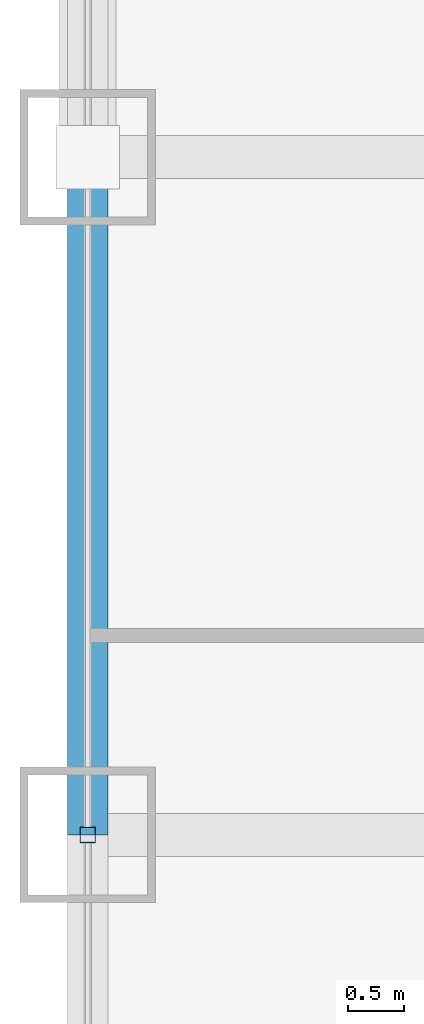
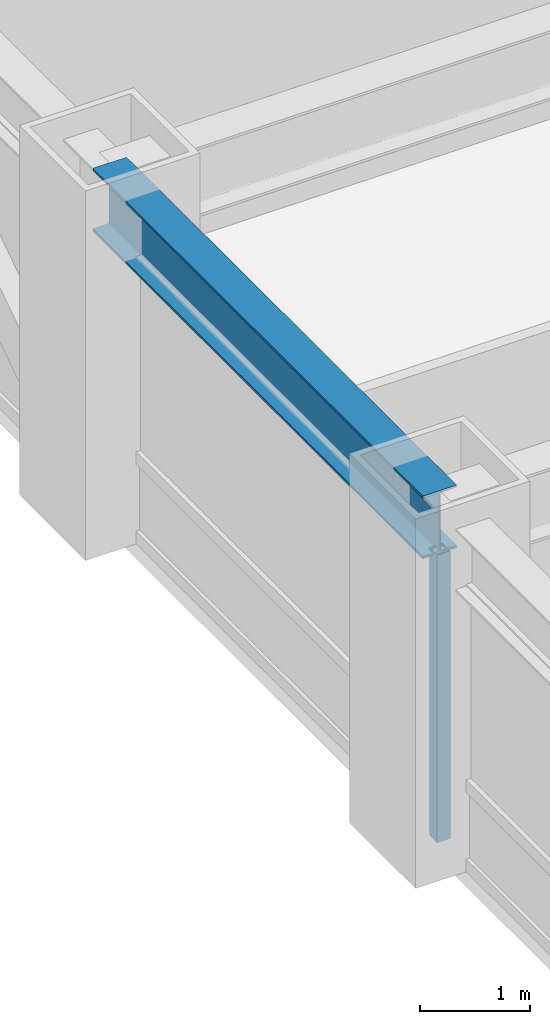
# One storey, part 8 of 32: 1 beam, 1 member, 1 element without a shape of its own.
"""IFC4 building model written with IfcOpenShell, lengths in metres."""

from ifc_helpers import new_model, si_unit, direction, frame, origin, origin_2d, place, context, subcontext, project, spatial, hollow_rectangle, i_section, extrude, source, transform, mapped, material, material_profile, profile_set, type_object, element, aggregate, save


model = new_model("IFC4")

# Units and contexts
model_context = context("Model", 3, precision=1e-05, world=origin(), true_north=direction((0.0, 1.0)))
body_context = subcontext(model_context, "Body", "Model", "MODEL_VIEW")
ifc_project = project(units=[si_unit("LENGTHUNIT", "METRE"), si_unit("AREAUNIT", "SQUARE_METRE"), si_unit("VOLUMEUNIT", "CUBIC_METRE"), si_unit("PLANEANGLEUNIT", "RADIAN"), si_unit("MASSUNIT", "GRAM", prefix="KILO")], contexts=[model_context])

# Site, building, storey
site_placement = place(None, origin())
site = spatial("IfcSite", under=ifc_project, at=site_placement, CompositionType="ELEMENT")
building_placement = place(site_placement, origin())
building = spatial("IfcBuilding", under=site, at=building_placement, Name="Khorayat Bourse Tower", CompositionType="ELEMENT")
storey_placement = place(building_placement, frame((0.0, 0.0, 136.5)))
storey = spatial("IfcBuildingStorey", under=building, at=storey_placement, Name="L31", CompositionType="ELEMENT", Elevation=136.5)

# Beam
ifc_material_1 = material(Name="Steel ASTM A992 Grade 50", Category="steel")
ifc_material_profile_1 = material_profile(ifc_material_1, i_section(OverallWidth=0.35498046875, OverallDepth=0.695068359375, WebThickness=0.015380859375, FlangeThickness=0.02490234375, FilletRadius=0.01806640625, at=origin_2d()), Name="W690X217")
ifc_profile_set_1 = profile_set([ifc_material_profile_1], Name="Steel ASTM A992 Grade 50")
beam_type = type_object("IfcBeamType", Name="BM-SPAN-690", PredefinedType="SPANDREL", material=ifc_profile_set_1)
shared_shape_1 = source(origin(), body_context, "Body", "SweptSolid", [
    extrude(i_section(OverallWidth=0.35498046875, OverallDepth=0.695068359375, WebThickness=0.015380859375, FlangeThickness=0.02490234375, FilletRadius=0.01806640625, at=origin_2d()), origin(), (0.0, 0.0, 1.0), 6.0),
])
beam_placement = place(storey_placement, frame((-32.0, 0.0, 3.492431640625), z_axis=(0.0, 1.0, 0.0), x_axis=(-1.0, 0.0, 0.0)))
element("IfcBeam", 1, at=beam_placement, inside=storey, type_object=beam_type, Name="L31 BM-SPAN-690 BM-L31-SPN-057", PredefinedType="SPANDREL", context=body_context, shape_type="MappedRepresentation", body=[
    mapped(shared_shape_1, transform((0.0, 0.0, 0.0), scale=1.0)),
])

# Curtain wall, member
ifc_material_2 = material(Name="Aluminium EN AW-6063 T6", Category="aluminium")
curtain_wall_type = type_object("IfcCurtainWallType", Name="CW-SYS-02", PredefinedType="NOTDEFINED", material=ifc_material_2)
curtain_wall_placement = place(storey_placement, origin())
curtain_wall = element("IfcCurtainWall", 2, at=curtain_wall_placement, inside=storey, type_object=curtain_wall_type, Name="L31 Curtain Wall CW-L31-W1", PredefinedType="NOTDEFINED")
ifc_material_profile_2 = material_profile(ifc_material_2, hollow_rectangle(XDim=0.139892578125, YDim=0.139892578125, WallThickness=0.006103515625, at=origin_2d()), Name="ALU 140x140x6")
ifc_profile_set_2 = profile_set([ifc_material_profile_2], Name="Aluminium EN AW-6063 T6")
member_type = type_object("IfcMemberType", Name="CWM-VERT-140", PredefinedType="MULLION", material=ifc_profile_set_2)
shared_shape_2 = source(origin(), body_context, "Body", "SweptSolid", [
    extrude(hollow_rectangle(XDim=0.139892578125, YDim=0.139892578125, WallThickness=0.006103515625, at=origin_2d()), origin(), (0.0, 0.0, 1.0), 3.18994140625),
])
member_placement = place(storey_placement, frame((-32.0, 0.0, 0.0), z_axis=(0.0, 0.0, 1.0), x_axis=(-1.0, 0.0, 0.0)))
member = element("IfcMember", 3, at=member_placement, type_object=member_type, Name="CW-L31-W1 Vertical Mullion 2", PredefinedType="MULLION", context=body_context, shape_type="MappedRepresentation", body=[
    mapped(shared_shape_2, transform((0.0, 0.0, 0.0), scale=1.0)),
])
aggregate(curtain_wall, [member])

save(model, "model.ifc")
